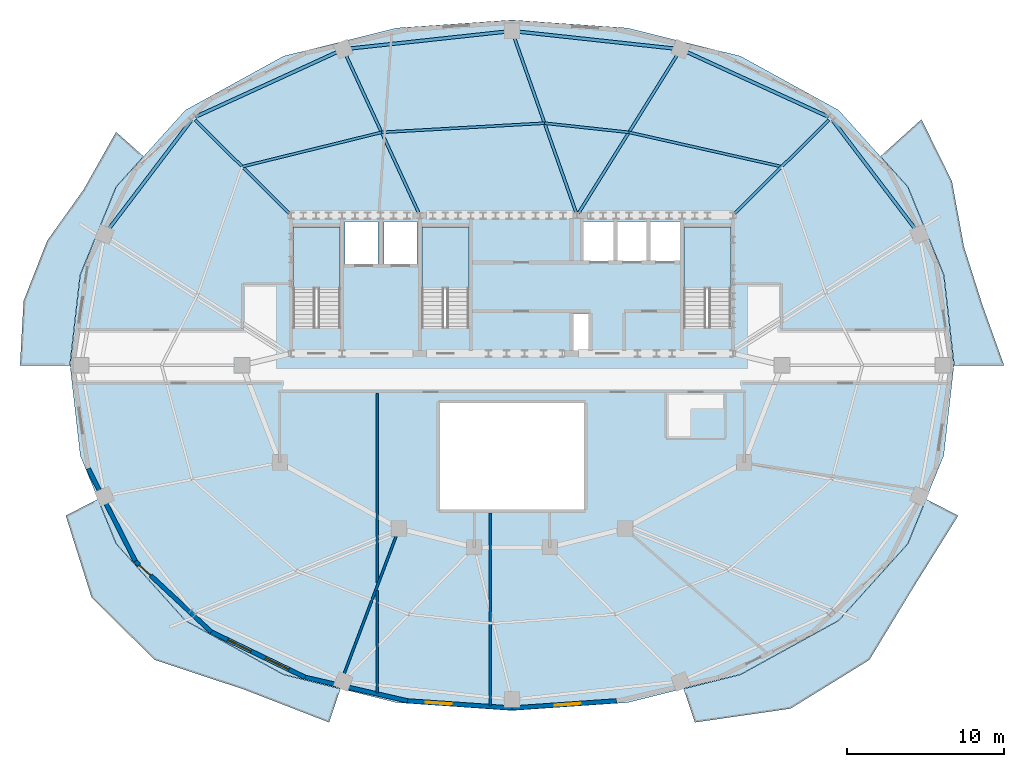
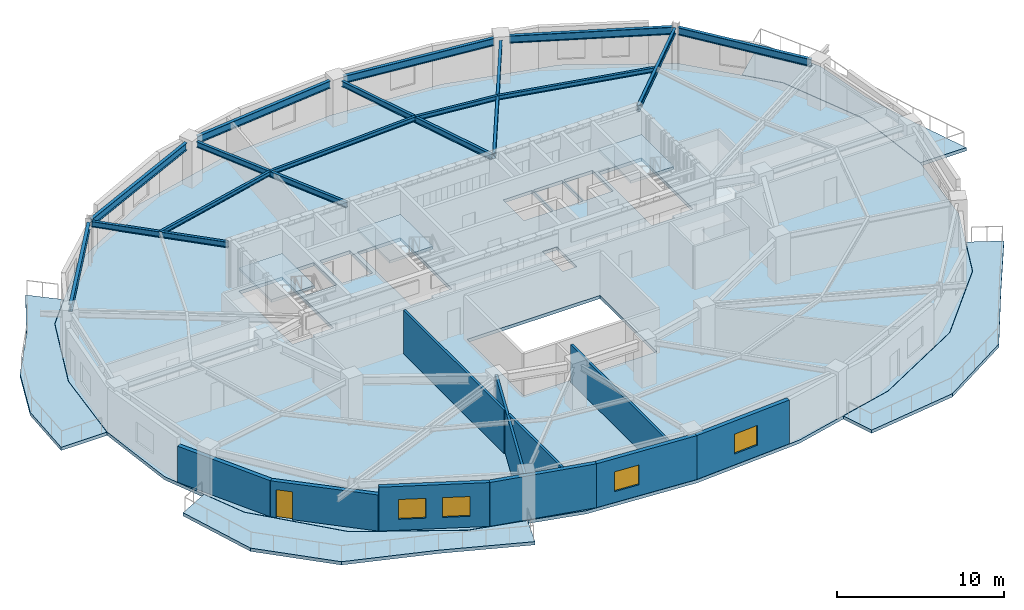
# One storey, part 3 of 11: 15 beams, 10 walls, 8 slabs, 4 windows, 1 door, 5 openings, 3 elements without a shape of their own.
"""IFC4 building model written with IfcOpenShell, lengths in metres."""

from ifc_helpers import new_model, si_unit, direction, frame, frame_2d, origin, origin_2d, place, context, subcontext, project, spatial, polyline, rectangle, i_section, outline, extrude, material, layer, layer_set, material_profile, profile_set, type_object, element, fill, aggregate, save


model = new_model("IFC4")

# Units and contexts
model_context = context("Model", 3, precision=1e-05, world=origin(), true_north=direction((0.0, 1.0)))
body_context = subcontext(model_context, "Body", "Model", "MODEL_VIEW")
ifc_project = project(units=[si_unit("LENGTHUNIT", "METRE"), si_unit("AREAUNIT", "SQUARE_METRE"), si_unit("VOLUMEUNIT", "CUBIC_METRE"), si_unit("PLANEANGLEUNIT", "RADIAN"), si_unit("MASSUNIT", "GRAM", prefix="KILO")], contexts=[model_context])

# Site, building, storey
site_placement = place(None, origin())
site = spatial("IfcSite", under=ifc_project, at=site_placement, CompositionType="ELEMENT")
building_placement = place(site_placement, origin())
building = spatial("IfcBuilding", under=site, at=building_placement, Name="Haldorwick Loom Tower", CompositionType="ELEMENT")
storey_placement = place(building_placement, frame((0.0, 0.0, 230.550048828125)))
storey = spatial("IfcBuildingStorey", under=building, at=storey_placement, Name="L62", CompositionType="ELEMENT", Elevation=230.550048828125)

# Beams
ifc_material_1 = material(Name="Steel CSA G40.21 350W", Category="steel")
ifc_material_profile_1 = material_profile(ifc_material_1, i_section(OverallWidth=0.166015625, OverallDepth=0.31298828125, WebThickness=0.006591796875, FlangeThickness=0.01123046875, at=origin_2d()), Name="W310X45", Category="steel")
ifc_profile_set_1 = profile_set([ifc_material_profile_1], Name="Steel CSA G40.21 350W")
beam_type_1 = type_object("IfcBeamType", Name="STR-BM-J310", PredefinedType="JOIST", material=ifc_profile_set_1)
beam_1_placement = place(storey_placement, frame((53.19384765625, 38.657470703125, 3.053466796875), z_axis=(-0.975700785876, 0.219107225898, 0.0), x_axis=(-0.219107225898, -0.975700785876, 0.0)))
element("IfcBeam", 1, at=beam_1_placement, inside=storey, type_object=beam_type_1, Name="L62 Mid-Bay Secondary Joist 3", PredefinedType="JOIST", context=body_context, shape_type="SweptSolid", body=[
    extrude(i_section(OverallWidth=0.166015625, OverallDepth=0.31298828125, WebThickness=0.006591796875, FlangeThickness=0.01123046875, at=origin_2d()), origin(), (0.0, 0.0, 1.0), 9.98486328125),
])
beam_2_placement = place(storey_placement, frame((43.45166015625, 40.84521484375, 3.053466796875), z_axis=(-0.994187082722, 0.107666357549, 0.0), x_axis=(-0.107666357549, -0.994187082722, 0.0)))
element("IfcBeam", 2, at=beam_2_placement, inside=storey, type_object=beam_type_1, Name="L62 Mid-Bay Secondary Joist 4", PredefinedType="JOIST", context=body_context, shape_type="SweptSolid", body=[
    extrude(i_section(OverallWidth=0.166015625, OverallDepth=0.31298828125, WebThickness=0.006591796875, FlangeThickness=0.01123046875, at=origin_2d()), origin(), (0.0, 0.0, 1.0), 5.408203125),
])
beam_3_placement = place(storey_placement, frame((38.074951171875, 41.427490234375, 3.053466796875), z_axis=(-0.998432354117, -0.05597172726, 0.0), x_axis=(0.05597172726, -0.998432354117, 0.0)))
element("IfcBeam", 3, at=beam_3_placement, inside=storey, type_object=beam_type_1, Name="L62 Mid-Bay Secondary Joist 5", PredefinedType="JOIST", context=body_context, shape_type="SweptSolid", body=[
    extrude(i_section(OverallWidth=0.166015625, OverallDepth=0.31298828125, WebThickness=0.006591796875, FlangeThickness=0.01123046875, at=origin_2d()), origin(), (0.0, 0.0, 1.0), 10.403076171875),
])
beam_4_placement = place(storey_placement, frame((27.688232421875, 40.84521484375, 3.053466796875), z_axis=(-0.970979703726, -0.239161901132, 0.0), x_axis=(0.239161901132, -0.970979703726, 0.0)))
element("IfcBeam", 4, at=beam_4_placement, inside=storey, type_object=beam_type_1, Name="L62 Mid-Bay Secondary Joist 6", PredefinedType="JOIST", context=body_context, shape_type="SweptSolid", body=[
    extrude(i_section(OverallWidth=0.166015625, OverallDepth=0.31298828125, WebThickness=0.006591796875, FlangeThickness=0.01123046875, at=origin_2d()), origin(), (0.0, 0.0, 1.0), 9.1474609375),
])
ifc_material_profile_2 = material_profile(ifc_material_1, i_section(OverallWidth=0.179931640625, OverallDepth=0.4130859375, WebThickness=0.009765625, FlangeThickness=0.01611328125, at=origin_2d()), Name="W410X74", Category="steel")
ifc_profile_set_2 = profile_set([ifc_material_profile_2], Name="Steel CSA G40.21 350W")
beam_type_2 = type_object("IfcBeamType", Name="STR-BM-J410", PredefinedType="JOIST", material=ifc_profile_set_2)
beam_5_placement = place(storey_placement, frame((50.1962890625, 35.675537109375, 3.00341796875), z_axis=(0.708952100153, 0.70525663392, 0.0), x_axis=(-0.70525663392, 0.708952100153, 0.0)))
element("IfcBeam", 5, at=beam_5_placement, inside=storey, type_object=beam_type_2, Name="L62 Radial Floor Girder 3", PredefinedType="JOIST", context=body_context, shape_type="SweptSolid", body=[
    extrude(i_section(OverallWidth=0.179931640625, OverallDepth=0.4130859375, WebThickness=0.009765625, FlangeThickness=0.01611328125, at=origin_2d()), origin(), (0.0, 0.0, 1.0), 8.456298828125),
])
beam_6_placement = place(storey_placement, frame((40.244140625, 35.700927734375, 3.00341796875), z_axis=(0.529096919652, 0.848561400027, 0.0), x_axis=(-0.848561400027, 0.529096919652, 0.0)))
element("IfcBeam", 6, at=beam_6_placement, inside=storey, type_object=beam_type_2, Name="L62 Radial Floor Girder 4", PredefinedType="JOIST", context=body_context, shape_type="SweptSolid", body=[
    extrude(i_section(OverallWidth=0.179931640625, OverallDepth=0.4130859375, WebThickness=0.009765625, FlangeThickness=0.01611328125, at=origin_2d()), origin(), (0.0, 0.0, 1.0), 11.827880859375),
])
beam_7_placement = place(storey_placement, frame((40.0908203125, 35.7177734375, 3.00341796875), z_axis=(-0.332900112782, 0.942962096221, 0.0), x_axis=(-0.942962096221, -0.332900112782, 0.0)))
element("IfcBeam", 7, at=beam_7_placement, inside=storey, type_object=beam_type_2, Name="L62 Radial Floor Girder 5", PredefinedType="JOIST", context=body_context, shape_type="SweptSolid", body=[
    extrude(i_section(OverallWidth=0.179931640625, OverallDepth=0.4130859375, WebThickness=0.009765625, FlangeThickness=0.01611328125, at=origin_2d()), origin(), (0.0, 0.0, 1.0), 11.813232421875),
])
beam_8_placement = place(storey_placement, frame((30.055419921875, 35.711669921875, 3.00341796875), z_axis=(-0.418729078283, 0.908111204094, 0.0), x_axis=(-0.908111204094, -0.418729078283, 0.0)))
element("IfcBeam", 8, at=beam_8_placement, inside=storey, type_object=beam_type_2, Name="L62 Radial Floor Girder 6", PredefinedType="JOIST", context=body_context, shape_type="SweptSolid", body=[
    extrude(i_section(OverallWidth=0.179931640625, OverallDepth=0.4130859375, WebThickness=0.009765625, FlangeThickness=0.01611328125, at=origin_2d()), origin(), (0.0, 0.0, 1.0), 11.00927734375),
])
beam_9_placement = place(storey_placement, frame((21.8037109375, 35.675537109375, 3.00341796875), z_axis=(-0.708952100153, 0.70525663392, 0.0), x_axis=(-0.70525663392, -0.708952100153, 0.0)))
element("IfcBeam", 9, at=beam_9_placement, inside=storey, type_object=beam_type_2, Name="L62 Radial Floor Girder 7", PredefinedType="JOIST", context=body_context, shape_type="SweptSolid", body=[
    extrude(i_section(OverallWidth=0.179931640625, OverallDepth=0.4130859375, WebThickness=0.009765625, FlangeThickness=0.01611328125, at=origin_2d()), origin(), (0.0, 0.0, 1.0), 8.456298828125),
])
ifc_material_profile_3 = material_profile(ifc_material_1, i_section(OverallWidth=0.2119140625, OverallDepth=0.5439453125, WebThickness=0.01318359375, FlangeThickness=0.021240234375, at=origin_2d()), Name="W530X123", Category="steel")
ifc_profile_set_3 = profile_set([ifc_material_profile_3], Name="Steel CSA G40.21 350W")
beam_type_3 = type_object("IfcBeamType", Name="STR-BM-SP530", PredefinedType="SPANDREL", material=ifc_profile_set_3)
beam_10_placement = place(storey_placement, frame((61.673583984375, 34.720703125, 2.93798828125), z_axis=(-0.605253156055, 0.796033050247, 0.0), x_axis=(-0.796033050247, -0.605253156055, 0.0)))
element("IfcBeam", 10, at=beam_10_placement, inside=storey, type_object=beam_type_3, Name="L62 Perimeter Spandrel 2", PredefinedType="SPANDREL", context=body_context, shape_type="SweptSolid", body=[
    extrude(i_section(OverallWidth=0.2119140625, OverallDepth=0.5439453125, WebThickness=0.01318359375, FlangeThickness=0.021240234375, at=origin_2d()), origin(), (0.0, 0.0, 1.0), 8.671142578125),
])
beam_11_placement = place(storey_placement, frame((56.15576171875, 41.839111328125, 2.93798828125), z_axis=(-0.909350907904, 0.41602995841, 0.0), x_axis=(-0.41602995841, -0.909350907904, 0.0)))
element("IfcBeam", 11, at=beam_11_placement, inside=storey, type_object=beam_type_3, Name="L62 Perimeter Spandrel 3", PredefinedType="SPANDREL", context=body_context, shape_type="SweptSolid", body=[
    extrude(i_section(OverallWidth=0.2119140625, OverallDepth=0.5439453125, WebThickness=0.01318359375, FlangeThickness=0.021240234375, at=origin_2d()), origin(), (0.0, 0.0, 1.0), 9.86474609375),
])
for number, where, z_axis, x_axis, name in (
    (12, (46.28125, 46.191650390625, 2.93798828125), (-0.994187378218, 0.107663628917, 0.0), (-0.107663628917, -0.994187378218, 0.0), "L62 Perimeter Spandrel 4"),
    (13, (35.52783203125, 47.25390625, 2.93798828125), (-0.994187378218, -0.107663628917, 0.0), (0.107663628917, -0.994187378218, 0.0), "L62 Perimeter Spandrel 5"),
):
    element("IfcBeam", number, at=place(storey_placement, frame(where, z_axis=z_axis, x_axis=x_axis)), inside=storey, type_object=beam_type_3, Name=name, PredefinedType="SPANDREL", context=body_context, shape_type="SweptSolid", body=[
        extrude(i_section(OverallWidth=0.2119140625, OverallDepth=0.5439453125, WebThickness=0.01318359375, FlangeThickness=0.021240234375, at=origin_2d()), origin(), (0.0, 0.0, 1.0), 9.866455078125),
    ])
beam_12_placement = place(storey_placement, frame((24.814697265625, 45.943115234375, 2.93798828125), z_axis=(-0.909350907904, -0.41602995841, 0.0), x_axis=(0.41602995841, -0.909350907904, 0.0)))
element("IfcBeam", 14, at=beam_12_placement, inside=storey, type_object=beam_type_3, Name="L62 Perimeter Spandrel 6", PredefinedType="SPANDREL", context=body_context, shape_type="SweptSolid", body=[
    extrude(i_section(OverallWidth=0.2119140625, OverallDepth=0.5439453125, WebThickness=0.01318359375, FlangeThickness=0.021240234375, at=origin_2d()), origin(), (0.0, 0.0, 1.0), 9.86474609375),
])
beam_13_placement = place(storey_placement, frame((15.57470703125, 41.623291015625, 2.93798828125), z_axis=(-0.605253156055, -0.796033050247, 0.0), x_axis=(0.796033050247, -0.605253156055, 0.0)))
element("IfcBeam", 15, at=beam_13_placement, inside=storey, type_object=beam_type_3, Name="L62 Perimeter Spandrel 7", PredefinedType="SPANDREL", context=body_context, shape_type="SweptSolid", body=[
    extrude(i_section(OverallWidth=0.2119140625, OverallDepth=0.5439453125, WebThickness=0.01318359375, FlangeThickness=0.021240234375, at=origin_2d()), origin(), (0.0, 0.0, 1.0), 8.671142578125),
])

# Slabs
ifc_material_2 = material(Name="Concrete C40 (40 MPa)", Category="concrete")
ifc_layer_1 = layer(ifc_material_2, 0.239990234375, Name="Concrete C40 (40 MPa)", Category="concrete")
ifc_layer_set_1 = layer_set([ifc_layer_1], Name="Concrete C40 (40 MPa)")
slab_type_1 = type_object("IfcSlabType", Name="STR-SLB-BAL240", PredefinedType="FLOOR", material=ifc_layer_set_1)
slab_1_placement = place(storey_placement, frame((0.0, 0.0, -0.239990234375)))
element("IfcSlab", 16, at=slab_1_placement, inside=storey, type_object=slab_type_1, Name="L62 Sinusoidal Balcony Terrace BAL_SE", PredefinedType="FLOOR", context=body_context, shape_type="SweptSolid", body=[
    extrude(outline(polyline([(62.392333984375, 17.46240234375), (61.229736328125, 14.62060546875), (61.229248046875, 14.619384765625), (61.228515625, 14.6181640625), (61.227783203125, 14.6171875), (61.22705078125, 14.6162109375), (56.82373046875, 9.72998046875), (56.82275390625, 9.72900390625), (56.8212890625, 9.727783203125), (56.81982421875, 9.72705078125), (50.565673828125, 6.287109375), (50.564453125, 6.286376953125), (50.563232421875, 6.285888671875), (50.56201171875, 6.285400390625), (46.935302734375, 5.3798828125), (47.6591796875, 3.24169921875), (53.75341796875, 4.119873046875), (58.775634765625, 7.2275390625), (61.7333984375, 12.09521484375), (64.43798828125, 16.419189453125), (62.392333984375, 17.46240234375)])), origin(), (0.0, 0.0, 1.0), 0.239990234375),
])
slab_2_placement = place(storey_placement, frame((0.0, 0.0, -0.239990234375)))
element("IfcSlab", 17, at=slab_2_placement, inside=storey, type_object=slab_type_1, Name="L62 Sinusoidal Balcony Terrace BAL_SW", PredefinedType="FLOOR", context=body_context, shape_type="SweptSolid", body=[
    extrude(outline(polyline([(25.064697265625, 5.3798828125), (21.43798828125, 6.285400390625), (21.436767578125, 6.285888671875), (21.435546875, 6.286376953125), (21.434326171875, 6.287109375), (15.18017578125, 9.72705078125), (15.1787109375, 9.727783203125), (15.17724609375, 9.72900390625), (15.17626953125, 9.72998046875), (10.77294921875, 14.6162109375), (10.772216796875, 14.6171875), (10.771484375, 14.6181640625), (10.770751953125, 14.619384765625), (10.770263671875, 14.62060546875), (9.607666015625, 17.46240234375), (7.56201171875, 16.419189453125), (9.211181640625, 11.19287109375), (13.224365234375, 7.2275390625), (18.889404296875, 5.350830078125), (24.3408203125, 3.24169921875), (25.064697265625, 5.3798828125)])), origin(), (0.0, 0.0, 1.0), 0.239990234375),
])
slab_3_placement = place(storey_placement, frame((0.0, 0.0, -0.239990234375)))
element("IfcSlab", 18, at=slab_3_placement, inside=storey, type_object=slab_type_1, Name="L62 Sinusoidal Balcony Terrace BAL_WNW", PredefinedType="FLOOR", context=body_context, shape_type="SweptSolid", body=[
    extrude(outline(polyline([(7.818603515625, 26.0), (7.818603515625, 26.001708984375), (8.472412109375, 31.760986328125), (8.47265625, 31.762451171875), (8.472900390625, 31.763916015625), (8.473388671875, 31.76513671875), (10.770263671875, 37.37939453125), (10.770751953125, 37.380615234375), (10.771484375, 37.3818359375), (10.772216796875, 37.3828125), (10.77294921875, 37.3837890625), (12.5126953125, 39.314208984375), (10.7685546875, 40.871337890625), (8.718505859375, 37.227294921875), (6.367431640625, 33.91552734375), (4.875732421875, 30.102783203125), (4.645263671875, 26.0), (7.818603515625, 26.0)])), origin(), (0.0, 0.0, 1.0), 0.239990234375),
])
slab_4_placement = place(storey_placement, frame((0.0, 0.0, -0.239990234375)))
element("IfcSlab", 19, at=slab_4_placement, inside=storey, type_object=slab_type_1, Name="L62 Sinusoidal Balcony Terrace BAL_ENE", PredefinedType="FLOOR", context=body_context, shape_type="SweptSolid", body=[
    extrude(outline(polyline([(59.48681640625, 39.315185546875), (61.22705078125, 37.3837890625), (61.227783203125, 37.3828125), (61.228515625, 37.3818359375), (61.229248046875, 37.380615234375), (61.229736328125, 37.37939453125), (63.526611328125, 31.76513671875), (63.527099609375, 31.763916015625), (63.52734375, 31.762451171875), (63.527587890625, 31.760986328125), (64.181396484375, 26.001708984375), (64.181396484375, 26.0), (67.354736328125, 26.0), (65.969482421875, 29.86865234375), (64.79833984375, 33.568603515625), (64.038330078125, 37.720947265625), (62.09423828125, 41.673828125), (59.48681640625, 39.315185546875)])), origin(), (0.0, 0.0, 1.0), 0.239990234375),
])

# Stair, slab
stair_type = type_object("IfcStairType", Name="STR-STR-CORE", PredefinedType="HALF_TURN_STAIR", material=ifc_material_2)
stair_1_placement = place(storey_placement, origin())
stair_1 = element("IfcStair", 20, at=stair_1_placement, inside=storey, type_object=stair_type, Name="L62 Exit Stair ST-01", PredefinedType="HALF_TURN_STAIR")
ifc_layer_2 = layer(ifc_material_2, 0.199951171875, Name="Concrete C40 (40 MPa)", Category="concrete")
ifc_layer_set_2 = layer_set([ifc_layer_2], Name="Concrete C40 (40 MPa)")
slab_type_2 = type_object("IfcSlabType", Name="STR-SLB-LAND200", PredefinedType="LANDING", material=ifc_layer_set_2)
slab_5_placement = place(storey_placement, frame((0.0, 0.0, 1.52490234375)))
slab_5 = element("IfcSlab", 21, at=slab_5_placement, type_object=slab_type_2, Name="ST-01 landing 1", PredefinedType="LANDING", context=body_context, shape_type="SweptSolid", body=[
    extrude(outline(polyline([(25.050048828125, 30.919921875), (25.050048828125, 34.800048828125), (22.050048828125, 34.800048828125), (22.050048828125, 30.919921875), (25.050048828125, 30.919921875)])), origin(), (0.0, 0.0, 1.0), 0.199951171875),
])
aggregate(stair_1, [slab_5])

stair_2_placement = place(storey_placement, origin())
stair_2 = element("IfcStair", 22, at=stair_2_placement, inside=storey, type_object=stair_type, Name="L62 Exit Stair ST-02", PredefinedType="HALF_TURN_STAIR")
slab_6_placement = place(storey_placement, frame((0.0, 0.0, 1.52490234375)))
slab_6 = element("IfcSlab", 23, at=slab_6_placement, type_object=slab_type_2, Name="ST-02 landing 1", PredefinedType="LANDING", context=body_context, shape_type="SweptSolid", body=[
    extrude(outline(polyline([(49.949951171875, 30.919921875), (49.949951171875, 34.800048828125), (46.949951171875, 34.800048828125), (46.949951171875, 30.919921875), (49.949951171875, 30.919921875)])), origin(), (0.0, 0.0, 1.0), 0.199951171875),
])
aggregate(stair_2, [slab_6])

stair_3_placement = place(storey_placement, origin())
stair_3 = element("IfcStair", 24, at=stair_3_placement, inside=storey, type_object=stair_type, Name="L62 Exit Stair ST-03", PredefinedType="HALF_TURN_STAIR")
slab_7_placement = place(storey_placement, frame((0.0, 0.0, 1.52490234375)))
slab_7 = element("IfcSlab", 25, at=slab_7_placement, type_object=slab_type_2, Name="ST-03 landing 1", PredefinedType="LANDING", context=body_context, shape_type="SweptSolid", body=[
    extrude(outline(polyline([(33.25, 30.919921875), (33.25, 34.800048828125), (30.25, 34.800048828125), (30.25, 30.919921875), (33.25, 30.919921875)])), origin(), (0.0, 0.0, 1.0), 0.199951171875),
])
aggregate(stair_3, [slab_7])

# Slab
ifc_layer_3 = layer(ifc_material_2, 0.239990234375, Name="Concrete C40 (40 MPa)", Category="concrete")
ifc_layer_set_3 = layer_set([ifc_layer_3], Name="Concrete C40 (40 MPa)")
slab_type_3 = type_object("IfcSlabType", Name="STR-SLB-RES240", PredefinedType="FLOOR", material=ifc_layer_set_3)
slab_8_placement = place(storey_placement, frame((0.0, 0.0, -0.239990234375)))
element("IfcSlab", 26, at=slab_8_placement, inside=storey, type_object=slab_type_3, Name="L62 Residential Structural Floor Slab", PredefinedType="FLOOR", context=body_context, shape_type="SweptSolid", body=[
    extrude(outline(polyline([(56.812744140625, 9.739990234375), (61.2158203125, 14.626220703125), (63.5126953125, 20.240478515625), (64.16650390625, 26.0), (63.5126953125, 31.759521484375), (61.2158203125, 37.373779296875), (56.812744140625, 42.260009765625), (50.558349609375, 45.699951171875), (43.3720703125, 47.494384765625), (36.0, 48.0048828125), (28.6279296875, 47.494384765625), (21.441650390625, 45.699951171875), (15.187255859375, 42.260009765625), (10.7841796875, 37.373779296875), (8.4873046875, 31.759521484375), (7.83349609375, 26.0), (8.4873046875, 20.240478515625), (10.7841796875, 14.626220703125), (15.187255859375, 9.739990234375), (21.441650390625, 6.300048828125), (28.6279296875, 4.505615234375), (36.0, 3.9951171875), (43.3720703125, 4.505615234375), (50.558349609375, 6.300048828125), (56.812744140625, 9.739990234375)]), holes=[polyline([(31.39990234375, 16.800048828125), (31.39990234375, 23.60009765625), (40.60009765625, 23.60009765625), (40.60009765625, 16.800048828125), (31.39990234375, 16.800048828125)]), polyline([(40.89990234375, 26.89990234375), (39.89990234375, 26.89990234375), (39.89990234375, 29.300048828125), (40.89990234375, 29.300048828125), (40.89990234375, 26.89990234375)]), polyline([(23.6201171875, 28.39990234375), (22.050048828125, 28.39990234375), (22.050048828125, 34.800048828125), (25.050048828125, 34.800048828125), (25.050048828125, 28.639892578125), (23.6201171875, 28.639892578125), (23.6201171875, 28.39990234375)]), polyline([(30.25, 28.39990234375), (30.25, 34.800048828125), (33.25, 34.800048828125), (33.25, 28.639892578125), (31.820068359375, 28.639892578125), (31.820068359375, 28.39990234375), (30.25, 28.39990234375)]), polyline([(46.949951171875, 28.39990234375), (46.949951171875, 34.800048828125), (49.949951171875, 34.800048828125), (49.949951171875, 28.639892578125), (48.52001953125, 28.639892578125), (48.52001953125, 28.39990234375), (46.949951171875, 28.39990234375)]), polyline([(27.449951171875, 32.449951171875), (25.35009765625, 32.449951171875), (25.35009765625, 35.14990234375), (27.449951171875, 35.14990234375), (27.449951171875, 32.449951171875)]), polyline([(29.949951171875, 32.449951171875), (27.85009765625, 32.449951171875), (27.85009765625, 35.14990234375), (29.949951171875, 35.14990234375), (29.949951171875, 32.449951171875)]), polyline([(42.550048828125, 32.64990234375), (40.550048828125, 32.64990234375), (40.550048828125, 35.14990234375), (42.550048828125, 35.14990234375), (42.550048828125, 32.64990234375)]), polyline([(42.64990234375, 32.64990234375), (42.64990234375, 35.14990234375), (44.64990234375, 35.14990234375), (44.64990234375, 32.64990234375), (42.64990234375, 32.64990234375)]), polyline([(44.75, 32.64990234375), (44.75, 35.14990234375), (46.75, 35.14990234375), (46.75, 32.64990234375), (44.75, 32.64990234375)])]), origin(), (0.0, 0.0, 1.0), 0.239990234375),
])

# Wall
ifc_material_3 = material(Name="Pressed Clay Face Brick and Insulated Masonry Backup Assembly", Category="masonry")
ifc_layer_4 = layer(ifc_material_3, 0.280029296875, Name="Pressed Clay Face Brick and Insulated Masonry Backup Assembly", Category="masonry")
ifc_layer_set_4 = layer_set([ifc_layer_4], Name="Pressed Clay Face Brick and Insulated Masonry Backup Assembly")
wall_type_1 = type_object("IfcWallType", Name="ARC-WL-EXT280", PredefinedType="STANDARD", material=ifc_layer_set_4)
wall_1_placement = place(storey_placement, frame((8.995849609375, 19.415283203125, 0.0), z_axis=(0.0, 0.0, 1.0), x_axis=(0.453032066879, -0.89149422117, 0.0)))
element("IfcWall", 27, at=wall_1_placement, inside=storey, type_object=wall_type_1, Name="L62 Brick Pier and Spandrel Wall 14", PredefinedType="STANDARD", context=body_context, shape_type="SweptSolid", body=[
    extrude(rectangle(XDim=6.618896484375, YDim=0.280029296875, at=frame_2d((3.3095703125, 0.0))), origin(), (0.0, 0.0, 1.0), 2.640869140625),
])

# Wall, opening, door
wall_2_placement = place(storey_placement, frame((11.994384765625, 13.5146484375, 0.0), z_axis=(0.0, 0.0, 1.0), x_axis=(0.731833707499, -0.681483253329, 0.0)))
wall_2 = element("IfcWall", 28, at=wall_2_placement, inside=storey, type_object=wall_type_1, Name="L62 Brick Pier and Spandrel Wall 15", PredefinedType="STANDARD", context=body_context, shape_type="SweptSolid", body=[
    extrude(rectangle(XDim=6.61865234375, YDim=0.280029296875, at=frame_2d((3.309326171875, 0.0))), origin(), (0.0, 0.0, 1.0), 2.640869140625),
])
opening_1_placement = place(wall_2_placement, frame((0.340087890625, 0.0, 0.0)))
opening_1 = element("IfcOpeningElement", 29, at=opening_1_placement, cuts=wall_2, Name="Opening D-BL10", PredefinedType="OPENING", context=body_context, shape_type="SweptSolid", body=[
    extrude(rectangle(XDim=1.0, YDim=2.0400390625, at=frame_2d((0.5, 1.02001953125))), frame((0.0, 0.14990234375, 0.0), z_axis=(0.0, -1.0, 0.0), x_axis=(1.0, 0.0, 0.0)), (0.0, 0.0, 1.0), 0.300048828125),
])
ifc_material_4 = material(Name="Thermally Broken Anodized Aluminium Curtain Wall Framing", Category="aluminium")
door_type = type_object("IfcDoorType", Name="ARC-DR-BAL100", OperationType="NOTDEFINED", PredefinedType="DOOR", material=ifc_material_4)
door_placement = place(opening_1_placement, origin())
door = element("IfcDoor", 30, at=door_placement, inside=storey, type_object=door_type, Name="L62 Outdoor Terrace Door SLB-L62-BAL_SW", OperationType="SINGLE_SWING_LEFT", OverallHeight=2.0400390625, OverallWidth=1.0, PredefinedType="DOOR", context=body_context, shape_type="SweptSolid", body=[
    extrude(rectangle(XDim=1.0, YDim=2.0400390625, at=frame_2d((0.5, 1.02001953125))), frame((0.0, 0.02490234375, 0.0), z_axis=(0.0, -1.0, 0.0), x_axis=(1.0, 0.0, 0.0)), (0.0, 0.0, 1.0), 0.050048828125),
])
fill(opening_1, door)

# Wall, openings, windows
wall_3_placement = place(storey_placement, frame((16.838134765625, 9.004150390625, 0.0), z_axis=(0.0, 0.0, 1.0), x_axis=(0.900371236029, -0.435122554381, 0.0)))
wall_3 = element("IfcWall", 31, at=wall_3_placement, inside=storey, type_object=wall_type_1, Name="L62 Brick Pier and Spandrel Wall 16", PredefinedType="STANDARD", context=body_context, shape_type="SweptSolid", body=[
    extrude(rectangle(XDim=6.6533203125, YDim=0.280029296875, at=frame_2d((3.32666015625, 0.0))), origin(), (0.0, 0.0, 1.0), 3.2099609375),
])
opening_2_placement = place(wall_3_placement, frame((1.1708984375, 0.0, 0.800048828125)))
opening_2 = element("IfcOpeningElement", 32, at=opening_2_placement, cuts=wall_3, Name="Opening W-01B", PredefinedType="OPENING", context=body_context, shape_type="SweptSolid", body=[
    extrude(rectangle(XDim=1.64990234375, YDim=1.449951171875, at=frame_2d((0.824951171875, 0.72509765625))), frame((0.0, 0.14990234375, 0.0), z_axis=(0.0, -1.0, 0.0), x_axis=(1.0, 0.0, 0.0)), (0.0, 0.0, 1.0), 0.300048828125),
])
opening_3_placement = place(wall_3_placement, frame((3.832275390625, 0.0, 0.800048828125)))
opening_3 = element("IfcOpeningElement", 33, at=opening_3_placement, cuts=wall_3, Name="Opening W-01B", PredefinedType="OPENING", context=body_context, shape_type="SweptSolid", body=[
    extrude(rectangle(XDim=1.64990234375, YDim=1.449951171875, at=frame_2d((0.824951171875, 0.72509765625))), frame((0.0, 0.14990234375, 0.0), z_axis=(0.0, -1.0, 0.0), x_axis=(1.0, 0.0, 0.0)), (0.0, 0.0, 1.0), 0.300048828125),
])
ifc_material_5 = material(Name="Triple-Glazed Low-E Argon Insulated Glazing Unit", Category="glass")
window_type = type_object("IfcWindowType", Name="ARC-WIN-W165", PartitioningType="SINGLE_PANEL", PredefinedType="WINDOW", material=ifc_material_5)
window_1_placement = place(opening_2_placement, origin())
window_1 = element("IfcWindow", 34, at=window_1_placement, inside=storey, type_object=window_type, Name="L62 Deep-Set Zone 7A Window 16", OverallHeight=1.449951171875, OverallWidth=1.64990234375, PartitioningType="SINGLE_PANEL", PredefinedType="WINDOW", context=body_context, shape_type="SweptSolid", body=[
    extrude(rectangle(XDim=1.64990234375, YDim=1.449951171875, at=frame_2d((0.824951171875, 0.72509765625))), frame((0.0, 0.030029296875, 0.0), z_axis=(0.0, -1.0, 0.0), x_axis=(1.0, 0.0, 0.0)), (0.0, 0.0, 1.0), 0.06005859375),
])
fill(opening_2, window_1)
window_2_placement = place(opening_3_placement, origin())
window_2 = element("IfcWindow", 35, at=window_2_placement, inside=storey, type_object=window_type, Name="L62 Deep-Set Zone 7A Window 16", OverallHeight=1.449951171875, OverallWidth=1.64990234375, PartitioningType="SINGLE_PANEL", PredefinedType="WINDOW", context=body_context, shape_type="SweptSolid", body=[
    extrude(rectangle(XDim=1.64990234375, YDim=1.449951171875, at=frame_2d((0.824951171875, 0.72509765625))), frame((0.0, 0.030029296875, 0.0), z_axis=(0.0, -1.0, 0.0), x_axis=(1.0, 0.0, 0.0)), (0.0, 0.0, 1.0), 0.06005859375),
])
fill(opening_3, window_2)

# Wall
wall_4_placement = place(storey_placement, frame((22.82861328125, 6.109130859375, 0.0), z_axis=(0.0, 0.0, 1.0), x_axis=(0.974557343474, -0.224138315065, 0.0)))
element("IfcWall", 36, at=wall_4_placement, inside=storey, type_object=wall_type_1, Name="L62 Brick Pier and Spandrel Wall 17", PredefinedType="STANDARD", context=body_context, shape_type="SweptSolid", body=[
    extrude(rectangle(XDim=6.676025390625, YDim=0.280029296875, at=frame_2d((3.337890625, 0.0))), origin(), (0.0, 0.0, 1.0), 3.2099609375),
])

# Wall, opening, window
wall_5_placement = place(storey_placement, frame((29.334716796875, 4.61279296875, 0.0), z_axis=(0.0, 0.0, 1.0), x_axis=(0.99764992135, -0.068517402386, 0.0)))
wall_5 = element("IfcWall", 37, at=wall_5_placement, inside=storey, type_object=wall_type_1, Name="L62 Brick Pier and Spandrel Wall 18", PredefinedType="STANDARD", context=body_context, shape_type="SweptSolid", body=[
    extrude(rectangle(XDim=6.680908203125, YDim=0.280029296875, at=frame_2d((3.34033203125, 0.0))), origin(), (0.0, 0.0, 1.0), 3.2099609375),
])
opening_4_placement = place(wall_5_placement, frame((1.17919921875, 0.0, 0.800048828125)))
opening_4 = element("IfcOpeningElement", 38, at=opening_4_placement, cuts=wall_5, Name="Opening W-01B", PredefinedType="OPENING", context=body_context, shape_type="SweptSolid", body=[
    extrude(rectangle(XDim=1.64990234375, YDim=1.449951171875, at=frame_2d((0.824951171875, 0.72509765625))), frame((0.0, 0.14990234375, 0.0), z_axis=(0.0, -1.0, 0.0), x_axis=(1.0, 0.0, 0.0)), (0.0, 0.0, 1.0), 0.300048828125),
])
window_3_placement = place(opening_4_placement, origin())
window_3 = element("IfcWindow", 39, at=window_3_placement, inside=storey, type_object=window_type, Name="L62 Deep-Set Zone 7A Window 18", OverallHeight=1.449951171875, OverallWidth=1.64990234375, PartitioningType="SINGLE_PANEL", PredefinedType="WINDOW", context=body_context, shape_type="SweptSolid", body=[
    extrude(rectangle(XDim=1.64990234375, YDim=1.449951171875, at=frame_2d((0.824951171875, 0.72509765625))), frame((0.0, 0.030029296875, 0.0), z_axis=(0.0, -1.0, 0.0), x_axis=(1.0, 0.0, 0.0)), (0.0, 0.0, 1.0), 0.06005859375),
])
fill(opening_4, window_3)

wall_6_placement = place(storey_placement, frame((36.0, 4.155029296875, 0.0), z_axis=(0.0, 0.0, 1.0), x_axis=(0.99764992135, 0.068517402386, 0.0)))
wall_6 = element("IfcWall", 40, at=wall_6_placement, inside=storey, type_object=wall_type_1, Name="L62 Brick Pier and Spandrel Wall 19", PredefinedType="STANDARD", context=body_context, shape_type="SweptSolid", body=[
    extrude(rectangle(XDim=6.680908203125, YDim=0.280029296875, at=frame_2d((3.34033203125, 0.0))), origin(), (0.0, 0.0, 1.0), 3.2099609375),
])
opening_5_placement = place(wall_6_placement, frame((2.72412109375, 0.0, 0.800048828125)))
opening_5 = element("IfcOpeningElement", 41, at=opening_5_placement, cuts=wall_6, Name="Opening W-01B", PredefinedType="OPENING", context=body_context, shape_type="SweptSolid", body=[
    extrude(rectangle(XDim=1.64990234375, YDim=1.449951171875, at=frame_2d((0.824951171875, 0.72509765625))), frame((0.0, 0.14990234375, 0.0), z_axis=(0.0, -1.0, 0.0), x_axis=(1.0, 0.0, 0.0)), (0.0, 0.0, 1.0), 0.300048828125),
])
window_4_placement = place(opening_5_placement, origin())
window_4 = element("IfcWindow", 42, at=window_4_placement, inside=storey, type_object=window_type, Name="L62 Deep-Set Zone 7A Window 19", OverallHeight=1.449951171875, OverallWidth=1.64990234375, PartitioningType="SINGLE_PANEL", PredefinedType="WINDOW", context=body_context, shape_type="SweptSolid", body=[
    extrude(rectangle(XDim=1.64990234375, YDim=1.449951171875, at=frame_2d((0.824951171875, 0.72509765625))), frame((0.0, 0.030029296875, 0.0), z_axis=(0.0, -1.0, 0.0), x_axis=(1.0, 0.0, 0.0)), (0.0, 0.0, 1.0), 0.06005859375),
])
fill(opening_5, window_4)

# Walls
ifc_material_6 = material(Name="Fire-Rated Type X Gypsum Stud Assembly EI 60")
ifc_layer_5 = layer(ifc_material_6, 0.159912109375, Name="Fire-Rated Type X Gypsum Stud Assembly EI 60")
ifc_layer_set_5 = layer_set([ifc_layer_5], Name="Fire-Rated Type X Gypsum Stud Assembly EI 60")
wall_type_2 = type_object("IfcWallType", Name="ARC-WL-FIRE160", PredefinedType="PARTITIONING", material=ifc_layer_set_5)
wall_7_placement = place(storey_placement, frame((28.800048828125, 15.60009765625, 0.0), z_axis=(0.0, 0.0, 1.0), x_axis=(-0.35340815444, -0.935469227915, 0.0)))
element("IfcWall", 43, at=wall_7_placement, inside=storey, type_object=wall_type_2, Name="L62 Residential Fire Partition L62-ICR-08", PredefinedType="PARTITIONING", context=body_context, shape_type="SweptSolid", body=[
    extrude(rectangle(XDim=10.639892578125, YDim=0.159912109375, at=frame_2d((5.31982421875, 0.0))), origin(), (0.0, 0.0, 1.0), 3.195068359375),
])
wall_8_placement = place(storey_placement, frame((27.39990234375, 5.10400390625, 0.0), z_axis=(0.0, 0.0, 1.0), x_axis=(0.0, 1.0, 0.0)))
element("IfcWall", 44, at=wall_8_placement, inside=storey, type_object=wall_type_2, Name="L62 Residential Fire Partition L62-SBP-0", PredefinedType="PARTITIONING", context=body_context, shape_type="SweptSolid", body=[
    extrude(rectangle(XDim=6.55517578125, YDim=0.159912109375, at=frame_2d((3.277587890625, 0.0))), origin(), (0.0, 0.0, 1.0), 3.195068359375),
])
wall_9_placement = place(storey_placement, frame((27.39990234375, 12.12890625, 0.0), z_axis=(0.0, 0.0, 1.0), x_axis=(0.0, 1.0, 0.0)))
element("IfcWall", 45, at=wall_9_placement, inside=storey, type_object=wall_type_2, Name="L62 Residential Fire Partition L62-SBP-0", PredefinedType="PARTITIONING", context=body_context, shape_type="SweptSolid", body=[
    extrude(rectangle(XDim=12.088134765625, YDim=0.159912109375, at=frame_2d((6.0439453125, 0.0))), origin(), (0.0, 0.0, 1.0), 3.195068359375),
])
wall_10_placement = place(storey_placement, frame((34.60009765625, 4.29638671875, 0.0), z_axis=(0.0, 0.0, 1.0), x_axis=(0.0, 1.0, 0.0)))
element("IfcWall", 46, at=wall_10_placement, inside=storey, type_object=wall_type_2, Name="L62 Residential Fire Partition L62-SBP-1", PredefinedType="PARTITIONING", context=body_context, shape_type="SweptSolid", body=[
    extrude(rectangle(XDim=12.300537109375, YDim=0.159912109375, at=frame_2d((6.150390625, 0.0))), origin(), (0.0, 0.0, 1.0), 2.77197265625),
])

save(model, "model.ifc")
